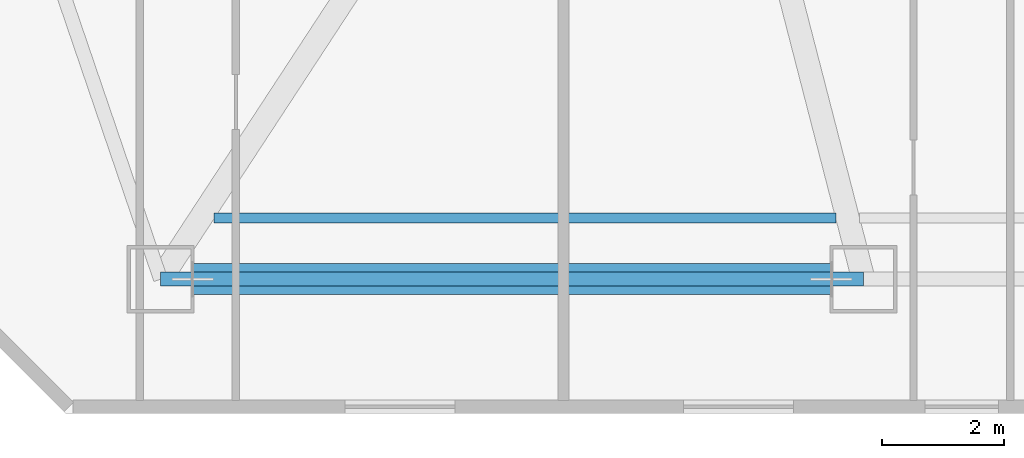
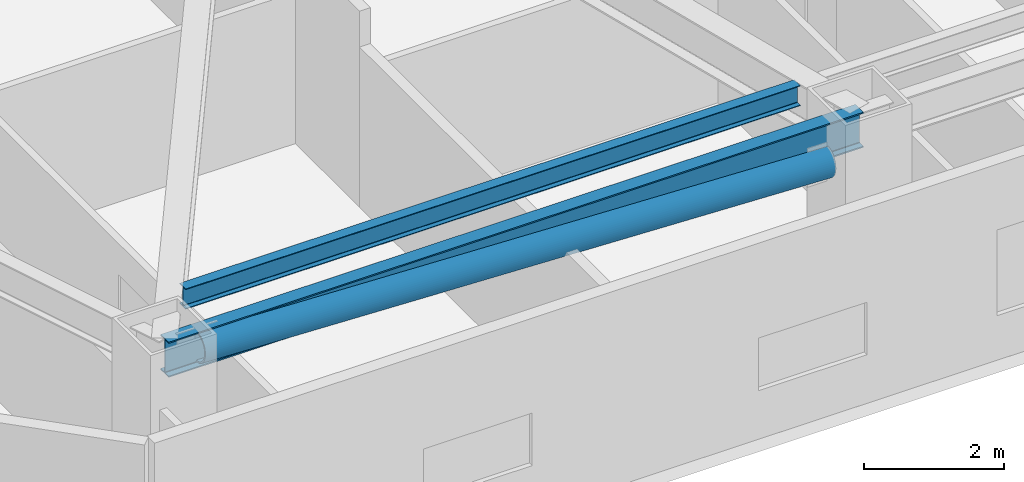
# One storey, part 3 of 18: 2 beams, 1 member.
"""IFC4 building model written with IfcOpenShell, lengths in metres."""

from ifc_helpers import new_model, si_unit, direction, frame, origin, origin_2d, place, context, subcontext, project, spatial, hollow_circle, i_section, extrude, material, material_profile, profile_set, type_object, element, save


model = new_model("IFC4")

# Units and contexts
model_context = context("Model", 3, precision=1e-05, world=origin(), true_north=direction((0.0, 1.0)))
body_context = subcontext(model_context, "Body", "Model", "MODEL_VIEW")
ifc_project = project(units=[si_unit("LENGTHUNIT", "METRE"), si_unit("AREAUNIT", "SQUARE_METRE"), si_unit("VOLUMEUNIT", "CUBIC_METRE"), si_unit("PLANEANGLEUNIT", "RADIAN"), si_unit("MASSUNIT", "GRAM", prefix="KILO")], contexts=[model_context])

# Site, building, storey
site_placement = place(None, origin())
site = spatial("IfcSite", under=ifc_project, at=site_placement, CompositionType="ELEMENT")
building_placement = place(site_placement, origin())
building = spatial("IfcBuilding", under=site, at=building_placement, Name="Khamvora Tower", CompositionType="ELEMENT")
storey_placement = place(building_placement, frame((0.0, 0.0, 47.89990234375)))
storey = spatial("IfcBuildingStorey", under=building, at=storey_placement, Name="L11", CompositionType="ELEMENT", Elevation=47.89990234375)

# Beams
ifc_material_1 = material(Name="Steel S355", Category="steel")
ifc_material_profile_1 = material_profile(ifc_material_1, i_section(OverallWidth=0.1708984375, OverallDepth=0.35498046875, WebThickness=0.007080078125, FlangeThickness=0.011962890625, FilletRadius=0.010009765625, at=origin_2d()), Name="W360x51")
ifc_profile_set_1 = profile_set([ifc_material_profile_1], Name="Steel S355")
beam_type_1 = type_object("IfcBeamType", Name="BM-JS-W360x51", PredefinedType="JOIST", material=ifc_profile_set_1)
beam_1_placement = place(storey_placement, frame((10.626953125, 6.199951171875, 3.252197265625), z_axis=(1.0, 0.0, 0.0), x_axis=(0.0, 1.0, 0.0)))
element("IfcBeam", 1, at=beam_1_placement, inside=storey, type_object=beam_type_1, Name="L11 secondary floor joist 01", PredefinedType="JOIST", context=body_context, shape_type="SweptSolid", body=[
    extrude(i_section(OverallWidth=0.1708984375, OverallDepth=0.35498046875, WebThickness=0.007080078125, FlangeThickness=0.011962890625, FilletRadius=0.010009765625, at=origin_2d()), origin(), (0.0, 0.0, 1.0), 10.173095703125),
])
ifc_material_profile_2 = material_profile(ifc_material_1, i_section(OverallWidth=0.22998046875, OverallDepth=0.616943359375, WebThickness=0.012939453125, FlangeThickness=0.02197265625, FilletRadius=0.013916015625, at=origin_2d()), Name="W610x140")
ifc_profile_set_2 = profile_set([ifc_material_profile_2], Name="Steel S355")
beam_type_2 = type_object("IfcBeamType", Name="BM-SP-W610x140", PredefinedType="SPANDREL", material=ifc_profile_set_2)
beam_2_placement = place(storey_placement, frame((9.75, 5.199951171875, 3.12109375), z_axis=(1.0, 0.0, 0.0), x_axis=(0.0, 1.0, 0.0)))
element("IfcBeam", 2, at=beam_2_placement, inside=storey, type_object=beam_type_2, Name="L11 perimeter spandrel beam S1-S2", PredefinedType="SPANDREL", context=body_context, shape_type="SweptSolid", body=[
    extrude(i_section(OverallWidth=0.22998046875, OverallDepth=0.616943359375, WebThickness=0.012939453125, FlangeThickness=0.02197265625, FilletRadius=0.013916015625, at=origin_2d()), origin(), (0.0, 0.0, 1.0), 11.5),
])

# Member
ifc_material_2 = material(Name="Steel S460", Category="steel")
ifc_material_profile_3 = material_profile(ifc_material_2, hollow_circle(Radius=0.25390625, WallThickness=0.02490234375, at=origin_2d()), Name="CHS508x25")
ifc_profile_set_3 = profile_set([ifc_material_profile_3], Name="Steel S460")
member_type = type_object("IfcMemberType", Name="MEM-BR-CHS508", PredefinedType="BRACE", material=ifc_profile_set_3)
member_placement = place(storey_placement, frame((20.719970703125, 5.199951171875, 2.7001953125), z_axis=(-0.999263588849, 0.0, 0.038370301036), x_axis=(0.0, -1.0, 0.0)))
element("IfcMember", 3, at=member_placement, inside=storey, type_object=member_type, Name="L11 perimeter wind brace 1", PredefinedType="BRACE", context=body_context, shape_type="SweptSolid", body=[
    extrude(hollow_circle(Radius=0.25390625, WallThickness=0.02490234375, at=origin_2d()), origin(), (0.0, 0.0, 1.0), 10.44775390625),
])

save(model, "model.ifc")
